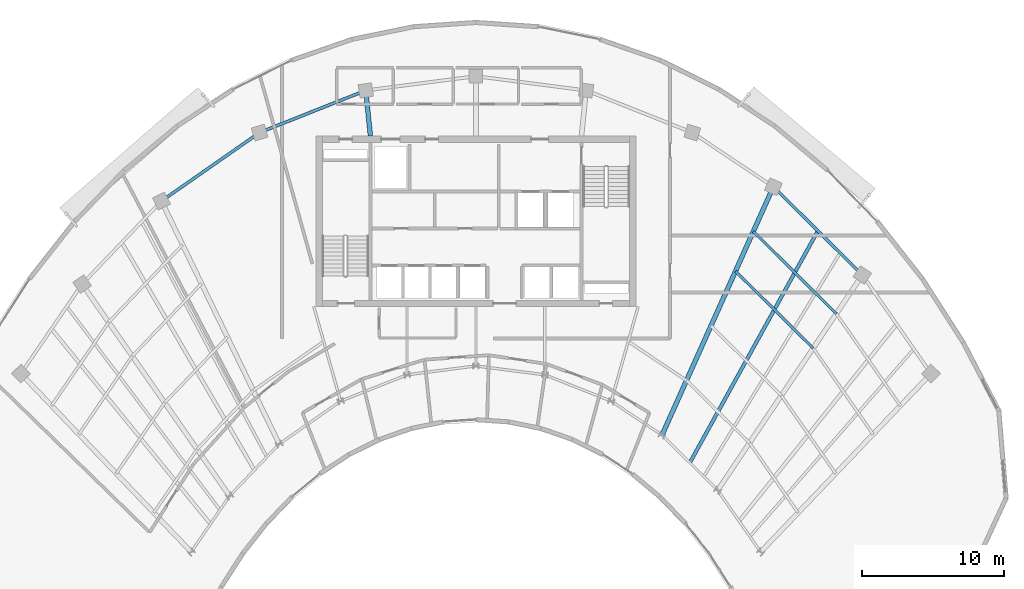
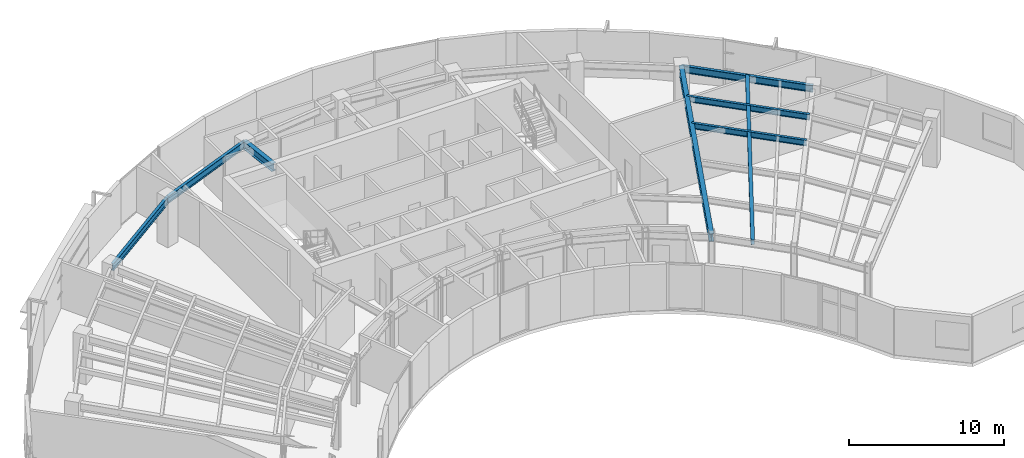
# One storey, part 4 of 14: 8 beams.
"""IFC4 building model written with IfcOpenShell, lengths in metres."""

from ifc_helpers import new_model, si_unit, direction, frame, origin, origin_2d, place, context, subcontext, project, spatial, hollow_rectangle, i_section, extrude, source, transform, mapped, material, material_profile, profile_set, type_object, element, save


model = new_model("IFC4")

# Units and contexts
model_context = context("Model", 3, precision=1e-05, world=origin(), true_north=direction((0.0, 1.0)))
body_context = subcontext(model_context, "Body", "Model", "MODEL_VIEW")
ifc_project = project(units=[si_unit("LENGTHUNIT", "METRE"), si_unit("AREAUNIT", "SQUARE_METRE"), si_unit("VOLUMEUNIT", "CUBIC_METRE"), si_unit("PLANEANGLEUNIT", "RADIAN"), si_unit("MASSUNIT", "GRAM", prefix="KILO")], contexts=[model_context])

# Site, building, storey
site_placement = place(None, origin())
site = spatial("IfcSite", under=ifc_project, at=site_placement, CompositionType="ELEMENT")
building_placement = place(site_placement, origin())
building = spatial("IfcBuilding", under=site, at=building_placement, Name="Breltana Convention Tower", CompositionType="ELEMENT")
storey_placement = place(building_placement, frame((0.0, 0.0, 215.699951171875)))
storey = spatial("IfcBuildingStorey", under=building, at=storey_placement, Name="L52", CompositionType="ELEMENT", Elevation=215.699951171875)

# Beams
ifc_material = material(Name="Steel ASTM A992 Grade 50", Category="steel")
ifc_material_profile_1 = material_profile(ifc_material, i_section(OverallWidth=0.19091796875, OverallDepth=0.4599609375, WebThickness=0.010009765625, FlangeThickness=0.01611328125, at=origin_2d()), Name="W18X55")
ifc_profile_set_1 = profile_set([ifc_material_profile_1], Name="Steel ASTM A992 Grade 50")
beam_type_1 = type_object("IfcBeamType", Name="BM-JSG-07", PredefinedType="JOIST", material=ifc_profile_set_1)
shared_shape_1 = source(origin(), body_context, "Body", "SweptSolid", [
    extrude(i_section(OverallWidth=0.19091796875, OverallDepth=0.4599609375, WebThickness=0.010009765625, FlangeThickness=0.01611328125, at=origin_2d()), origin(), (0.0, 0.0, 1.0), 7.688720703125),
])
beam_1_placement = place(storey_placement, frame((66.248779296875, 62.697265625, 3.41015625), z_axis=(0.710101109809, -0.704099718682, 0.0), x_axis=(0.704099718682, 0.710101109809, 0.0)))
element("IfcBeam", 1, at=beam_1_placement, inside=storey, type_object=beam_type_1, Name="L52 Composite Floor Joist 09.3", PredefinedType="JOIST", context=body_context, shape_type="MappedRepresentation", body=[
    mapped(shared_shape_1, transform((0.0, 0.0, 0.0), scale=1.0)),
])
shared_shape_2 = source(origin(), body_context, "Body", "SweptSolid", [
    extrude(i_section(OverallWidth=0.19091796875, OverallDepth=0.4599609375, WebThickness=0.010009765625, FlangeThickness=0.01611328125, at=origin_2d()), origin(), (0.0, 0.0, 1.0), 8.21630859375),
])
beam_2_placement = place(storey_placement, frame((67.50146484375, 65.49072265625, 3.41015625), z_axis=(0.710101511063, -0.704099314008, 0.0), x_axis=(0.704099314008, 0.710101511063, 0.0)))
element("IfcBeam", 2, at=beam_2_placement, inside=storey, type_object=beam_type_1, Name="L52 Composite Floor Joist 09.4", PredefinedType="JOIST", context=body_context, shape_type="MappedRepresentation", body=[
    mapped(shared_shape_2, transform((0.0, 0.0, 0.0), scale=1.0)),
])
ifc_material_profile_2 = material_profile(ifc_material, hollow_rectangle(XDim=0.25, YDim=0.35009765625, WallThickness=0.011962890625, at=origin_2d()), Name="RHS350X250X12")
ifc_profile_set_2 = profile_set([ifc_material_profile_2], Name="Steel ASTM A992 Grade 50")
beam_type_2 = type_object("IfcBeamType", Name="BM-JSG-12", PredefinedType="JOIST", material=ifc_profile_set_2)
shared_shape_3 = source(origin(), body_context, "Body", "SweptSolid", [
    extrude(hollow_rectangle(XDim=0.25, YDim=0.35009765625, WallThickness=0.011962890625, at=origin_2d()), origin(), (0.0, 0.0, 1.0), 18.617431640625),
])
beam_3_placement = place(storey_placement, frame((63.038818359375, 49.234130859375, 3.465087890625), z_axis=(0.483405602507, 0.875396495004, 0.0), x_axis=(-0.875396495004, 0.483405602507, 0.0)))
element("IfcBeam", 3, at=beam_3_placement, inside=storey, type_object=beam_type_2, Name="L52 Mid-Bay Radial Trimmer 09", PredefinedType="JOIST", context=body_context, shape_type="MappedRepresentation", body=[
    mapped(shared_shape_3, transform((0.0, 0.0, 0.0), scale=1.0)),
])
ifc_material_profile_3 = material_profile(ifc_material, i_section(OverallWidth=0.326904296875, OverallDepth=0.6220703125, WebThickness=0.015380859375, FlangeThickness=0.0244140625, at=origin_2d()), Name="W24X131")
ifc_profile_set_3 = profile_set([ifc_material_profile_3], Name="Steel ASTM A992 Grade 50")
beam_type_3 = type_object("IfcBeamType", Name="BM-RG-W24X131", PredefinedType="USERDEFINED", material=ifc_profile_set_3)
shared_shape_4 = source(origin(), body_context, "Body", "SweptSolid", [
    extrude(i_section(OverallWidth=0.326904296875, OverallDepth=0.6220703125, WebThickness=0.015380859375, FlangeThickness=0.0244140625, at=origin_2d()), origin(), (0.0, 0.0, 1.0), 3.220947265625),
])
beam_4_placement = place(storey_placement, frame((40.580078125, 72.199951171875, 3.3291015625), z_axis=(-0.101492254858, 0.994836329355, 0.0), x_axis=(-0.994836329355, -0.101492254858, 0.0)))
element("IfcBeam", 4, at=beam_4_placement, inside=storey, type_object=beam_type_3, Name="L52 North Core Radial Girder R05", ObjectType="GIRDER", PredefinedType="USERDEFINED", context=body_context, shape_type="MappedRepresentation", body=[
    mapped(shared_shape_4, transform((0.0, 0.0, 0.0), scale=1.0)),
])
shared_shape_5 = source(origin(), body_context, "Body", "SweptSolid", [
    extrude(i_section(OverallWidth=0.326904296875, OverallDepth=0.6220703125, WebThickness=0.015380859375, FlangeThickness=0.0244140625, at=origin_2d()), origin(), (0.0, 0.0, 1.0), 19.133544921875),
])
beam_5_placement = place(storey_placement, frame((61.08203125, 51.174560546875, 3.3291015625), z_axis=(0.409144564164, 0.912469575172, 0.0), x_axis=(-0.912469575172, 0.409144564164, 0.0)))
element("IfcBeam", 5, at=beam_5_placement, inside=storey, type_object=beam_type_3, Name="L52 Radial Floor Girder R09", ObjectType="GIRDER", PredefinedType="USERDEFINED", context=body_context, shape_type="MappedRepresentation", body=[
    mapped(shared_shape_5, transform((0.0, 0.0, 0.0), scale=1.0)),
])
ifc_material_profile_4 = material_profile(ifc_material, i_section(OverallWidth=0.214111328125, OverallDepth=0.549072265625, WebThickness=0.0146484375, FlangeThickness=0.023681640625, at=origin_2d()), Name="W21X93")
ifc_profile_set_4 = profile_set([ifc_material_profile_4], Name="Steel ASTM A992 Grade 50")
beam_type_4 = type_object("IfcBeamType", Name="BM-SP-W21X93", PredefinedType="SPANDREL", material=ifc_profile_set_4)
shared_shape_6 = source(origin(), body_context, "Body", "SweptSolid", [
    extrude(i_section(OverallWidth=0.214111328125, OverallDepth=0.549072265625, WebThickness=0.0146484375, FlangeThickness=0.023681640625, at=origin_2d()), origin(), (0.0, 0.0, 1.0), 8.4169921875),
])
beam_6_placement = place(storey_placement, frame((25.8876953125, 67.626953125, 3.365478515625), z_axis=(0.820173800102, 0.572114444519, 0.0), x_axis=(-0.572114444519, 0.820173800102, 0.0)))
element("IfcBeam", 6, at=beam_6_placement, inside=storey, type_object=beam_type_4, Name="L52 Outer Spandrel Beam 03", PredefinedType="SPANDREL", context=body_context, shape_type="MappedRepresentation", body=[
    mapped(shared_shape_6, transform((0.0, 0.0, 0.0), scale=1.0)),
])
shared_shape_7 = source(origin(), body_context, "Body", "SweptSolid", [
    extrude(i_section(OverallWidth=0.214111328125, OverallDepth=0.549072265625, WebThickness=0.0146484375, FlangeThickness=0.023681640625, at=origin_2d()), origin(), (0.0, 0.0, 1.0), 8.028564453125),
])
beam_7_placement = place(storey_placement, frame((32.791015625, 72.4423828125, 3.365478515625), z_axis=(0.929459100394, 0.368925169507, 0.0), x_axis=(-0.368925169507, 0.929459100394, 0.0)))
element("IfcBeam", 7, at=beam_7_placement, inside=storey, type_object=beam_type_4, Name="L52 Outer Spandrel Beam 04", PredefinedType="SPANDREL", context=body_context, shape_type="MappedRepresentation", body=[
    mapped(shared_shape_7, transform((0.0, 0.0, 0.0), scale=1.0)),
])
shared_shape_8 = source(origin(), body_context, "Body", "SweptSolid", [
    extrude(i_section(OverallWidth=0.214111328125, OverallDepth=0.549072265625, WebThickness=0.0146484375, FlangeThickness=0.023681640625, at=origin_2d()), origin(), (0.0, 0.0, 1.0), 8.810302734375),
])
beam_8_placement = place(storey_placement, frame((68.910400390625, 68.63330078125, 3.365478515625), z_axis=(0.710120823582, -0.704079836322, 0.0), x_axis=(0.704079836322, 0.710120823582, 0.0)))
element("IfcBeam", 8, at=beam_8_placement, inside=storey, type_object=beam_type_4, Name="L52 Outer Spandrel Beam 09", PredefinedType="SPANDREL", context=body_context, shape_type="MappedRepresentation", body=[
    mapped(shared_shape_8, transform((0.0, 0.0, 0.0), scale=1.0)),
])

save(model, "model.ifc")
